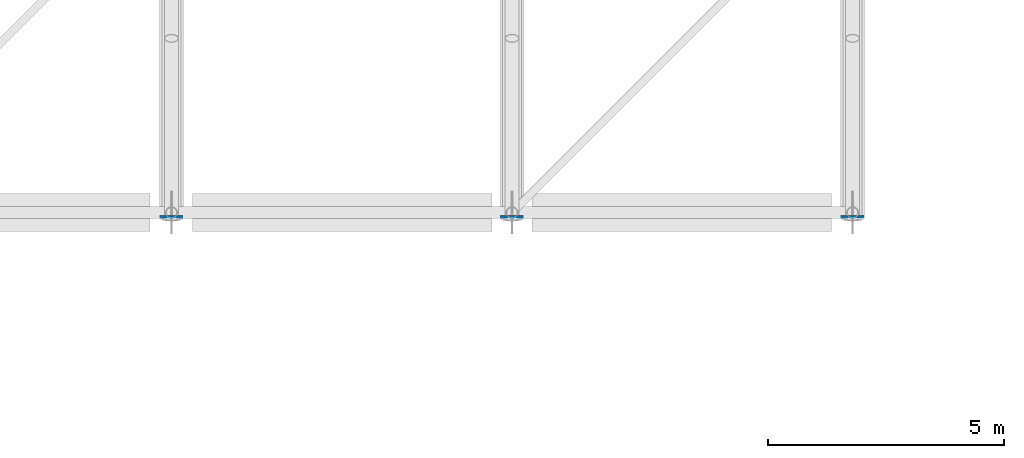
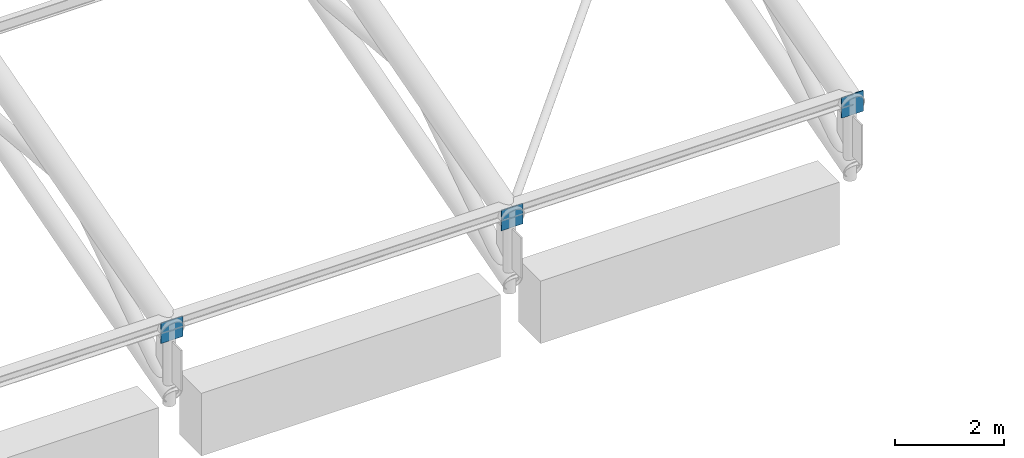
# One storey, part 129 of 193: 3 plates.
"""IFC4 building model written with IfcOpenShell, lengths in metres."""

from ifc_helpers import new_model, si_unit, direction, frame, origin, origin_2d, place, context, subcontext, project, spatial, rectangle, extrude, material, layer, layer_set, type_object, element, save


model = new_model("IFC4")

# Units and contexts
model_context = context("Model", 3, precision=1e-05, world=origin(), true_north=direction((0.0, 1.0)))
body_context = subcontext(model_context, "Body", "Model", "MODEL_VIEW")
ifc_project = project(units=[si_unit("LENGTHUNIT", "METRE"), si_unit("AREAUNIT", "SQUARE_METRE"), si_unit("VOLUMEUNIT", "CUBIC_METRE"), si_unit("PLANEANGLEUNIT", "RADIAN"), si_unit("MASSUNIT", "GRAM", prefix="KILO")], contexts=[model_context])

# Site, building, storey
site_placement = place(None, origin())
site = spatial("IfcSite", under=ifc_project, at=site_placement, CompositionType="ELEMENT")
building_placement = place(site_placement, origin())
building = spatial("IfcBuilding", under=site, at=building_placement, Name="Cendralis Lancet Convention Centre", CompositionType="ELEMENT")
storey_placement = place(building_placement, frame((0.0, 0.0, 10.199951171875)))
storey = spatial("IfcBuildingStorey", under=building, at=storey_placement, Name="L02", CompositionType="ELEMENT", Elevation=10.199951171875)

# Plates
ifc_material = material(Name="Steel S355", Category="steel")
ifc_layer = layer(ifc_material, 0.02001953125, Name="Steel S355")
ifc_layer_set = layer_set([ifc_layer], Name="Steel S355")
plate_type = type_object("IfcPlateType", Name="STR-PL-EC20", PredefinedType="USERDEFINED", material=ifc_layer_set)
for number, where, z_axis, x_axis, name in (
    (1, (108.0, 50.31005859375, 3.3701171875), (0.0, 0.0, 1.0), (1.0, 0.0, 0.0), "Truss End Cap Plate EC-20 AT-V1-13-CAPS"),
    (2, (115.199951171875, 50.31005859375, 3.3701171875), (0.0, 0.0, 1.0), (1.0, 0.0, 0.0), "Truss End Cap Plate EC-20 AT-V1-14-CAPS"),
    (3, (122.39990234375, 50.31005859375, 3.3701171875), (0.0, 0.0, 1.0), (1.0, 0.0, 0.0), "Truss End Cap Plate EC-20 AT-V1-15-CAPS"),
):
    element("IfcPlate", number, at=place(storey_placement, frame(where, z_axis=z_axis, x_axis=x_axis)), inside=storey, type_object=plate_type, Name=name, ObjectType="GUSSET PLATE", PredefinedType="USERDEFINED", context=body_context, shape_type="SweptSolid", body=[
        extrude(rectangle(XDim=0.4599609375, YDim=0.02001953125, at=origin_2d()), origin(), (0.0, 0.0, 1.0), 0.4599609375),
    ])

save(model, "model.ifc")
